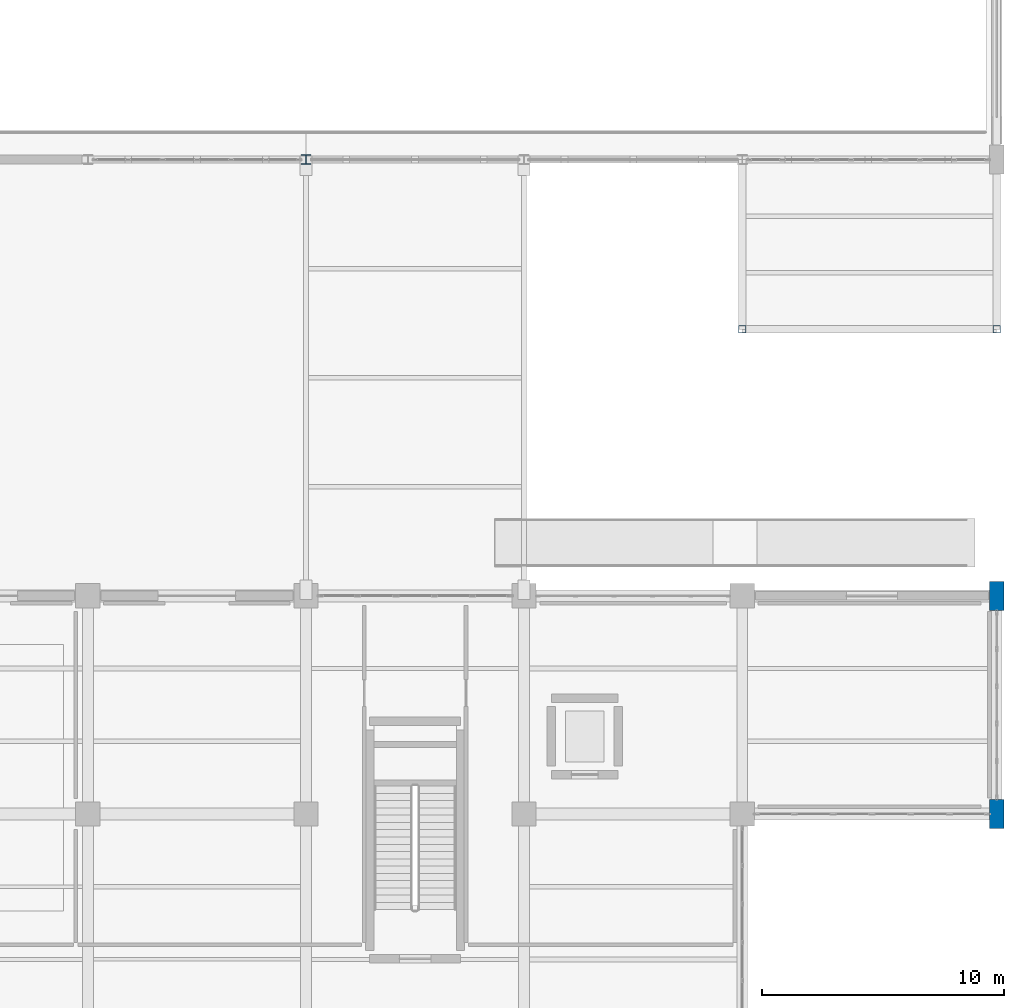
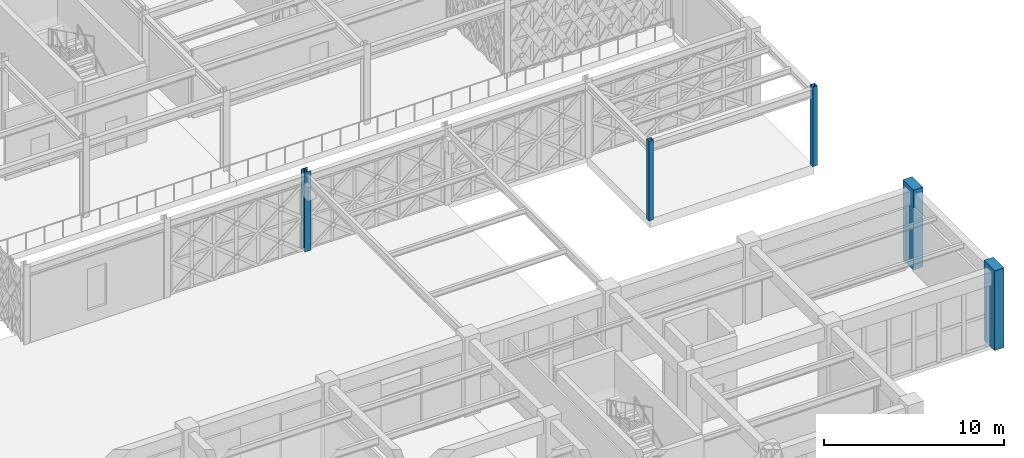
# One storey, part 6 of 140: 5 columns.
"""IFC4 building model written with IfcOpenShell, lengths in metres."""

from ifc_helpers import new_model, si_unit, direction, frame, origin, origin_2d, place, context, subcontext, project, spatial, rectangle, hollow_rectangle, i_section, extrude, material, material_profile, profile_set, type_object, element, save


model = new_model("IFC4")

# Units and contexts
model_context = context("Model", 3, precision=1e-05, world=origin(), true_north=direction((0.0, 1.0)))
body_context = subcontext(model_context, "Body", "Model", "MODEL_VIEW")
ifc_project = project(units=[si_unit("LENGTHUNIT", "METRE"), si_unit("AREAUNIT", "SQUARE_METRE"), si_unit("VOLUMEUNIT", "CUBIC_METRE"), si_unit("PLANEANGLEUNIT", "RADIAN"), si_unit("MASSUNIT", "GRAM", prefix="KILO")], contexts=[model_context])

# Site, building, storey
site_placement = place(None, origin())
site = spatial("IfcSite", under=ifc_project, at=site_placement, CompositionType="ELEMENT")
building_placement = place(site_placement, origin())
building = spatial("IfcBuilding", under=site, at=building_placement, Name="Haizhuo Lancet Aquarium", CompositionType="ELEMENT")
storey_placement = place(building_placement, origin())
storey = spatial("IfcBuildingStorey", under=building, at=storey_placement, Name="L00", CompositionType="ELEMENT", Elevation=0.0)

# Columns
ifc_material_1 = material(Name="Steel S355", Category="steel")
ifc_material_profile_1 = material_profile(ifc_material_1, i_section(OverallWidth=0.39990234375, OverallDepth=0.39990234375, WebThickness=0.012939453125, FlangeThickness=0.02099609375, FilletRadius=0.02197265625, at=origin_2d()), Name="HW 400x400x13x21")
ifc_profile_set_1 = profile_set([ifc_material_profile_1], Name="Steel S355")
column_type_1 = type_object("IfcColumnType", Name="COL-ST-HW400", PredefinedType="COLUMN", material=ifc_profile_set_1)
column_placement = place(storey_placement, frame((54.0, 9.0, 0.0), z_axis=(0.0, 0.0, 1.0), x_axis=(1.0, 0.0, 0.0)))
element("IfcColumn", 1, at=column_placement, inside=storey, type_object=column_type_1, Name="L00 column V7-COL-136", PredefinedType="COLUMN", context=body_context, shape_type="SweptSolid", body=[
    extrude(i_section(OverallWidth=0.39990234375, OverallDepth=0.39990234375, WebThickness=0.012939453125, FlangeThickness=0.02099609375, FilletRadius=0.02197265625, at=origin_2d()), origin(), (0.0, 0.0, 1.0), 5.39990234375),
])
ifc_material_profile_2 = material_profile(ifc_material_1, hollow_rectangle(XDim=0.300048828125, YDim=0.300048828125, WallThickness=0.011962890625, at=origin_2d()), Name="SHS 300x300x12")
ifc_profile_set_2 = profile_set([ifc_material_profile_2], Name="Steel S355")
column_type_2 = type_object("IfcColumnType", Name="COL-ST-SHS300", PredefinedType="COLUMN", material=ifc_profile_set_2)
for number, where, z_axis, x_axis, name in (
    (2, (82.5, 2.0, 0.0), (0.0, 0.0, 1.0), (1.0, 0.0, 0.0), "L00 column V7-COL-149"),
    (3, (72.0, 2.0, 0.0), (0.0, 0.0, 1.0), (1.0, 0.0, 0.0), "L00 column V7-COL-150"),
):
    element("IfcColumn", number, at=place(storey_placement, frame(where, z_axis=z_axis, x_axis=x_axis)), inside=storey, type_object=column_type_2, Name=name, PredefinedType="COLUMN", context=body_context, shape_type="SweptSolid", body=[
        extrude(hollow_rectangle(XDim=0.300048828125, YDim=0.300048828125, WallThickness=0.011962890625, at=origin_2d()), origin(), (0.0, 0.0, 1.0), 5.39990234375),
    ])
ifc_material_2 = material(Name="Concrete C45/55", Category="concrete")
ifc_material_profile_3 = material_profile(ifc_material_2, rectangle(XDim=0.60009765625, YDim=1.199951171875, at=origin_2d()), Name="RC-PIL 600x1200")
ifc_profile_set_3 = profile_set([ifc_material_profile_3], Name="Concrete C45/55")
column_type_3 = type_object("IfcColumnType", Name="PIL-RC-600x1200", PredefinedType="PILASTER", material=ifc_profile_set_3)
for number, where, z_axis, x_axis, name in (
    (4, (82.5, -18.0, 0.0), (0.0, 0.0, 1.0), (1.0, 0.0, 0.0), "L00 column V3-COL-064"),
    (5, (82.5, -9.0, 0.0), (0.0, 0.0, 1.0), (1.0, 0.0, 0.0), "L00 column V3-COL-065"),
):
    element("IfcColumn", number, at=place(storey_placement, frame(where, z_axis=z_axis, x_axis=x_axis)), inside=storey, type_object=column_type_3, Name=name, PredefinedType="PILASTER", context=body_context, shape_type="SweptSolid", body=[
        extrude(rectangle(XDim=0.60009765625, YDim=1.199951171875, at=origin_2d()), origin(), (0.0, 0.0, 1.0), 5.39990234375),
    ])

save(model, "model.ifc")
